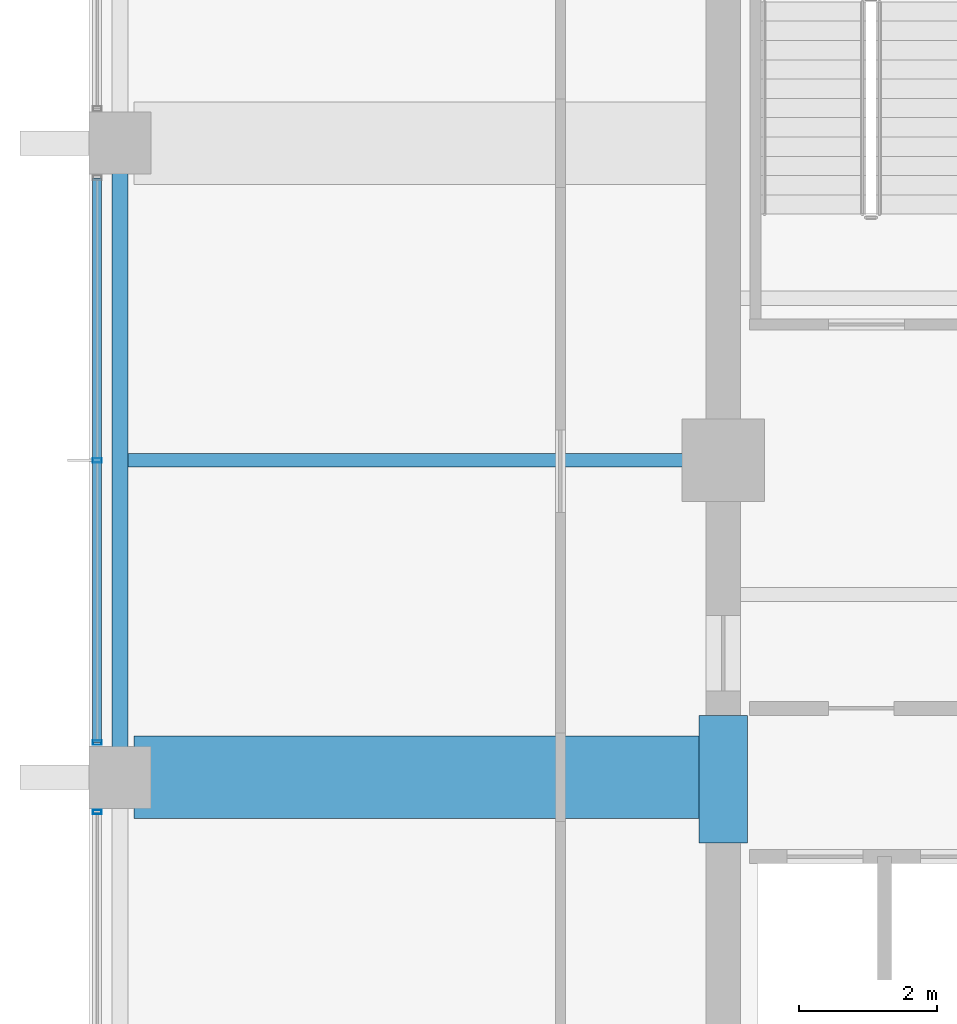
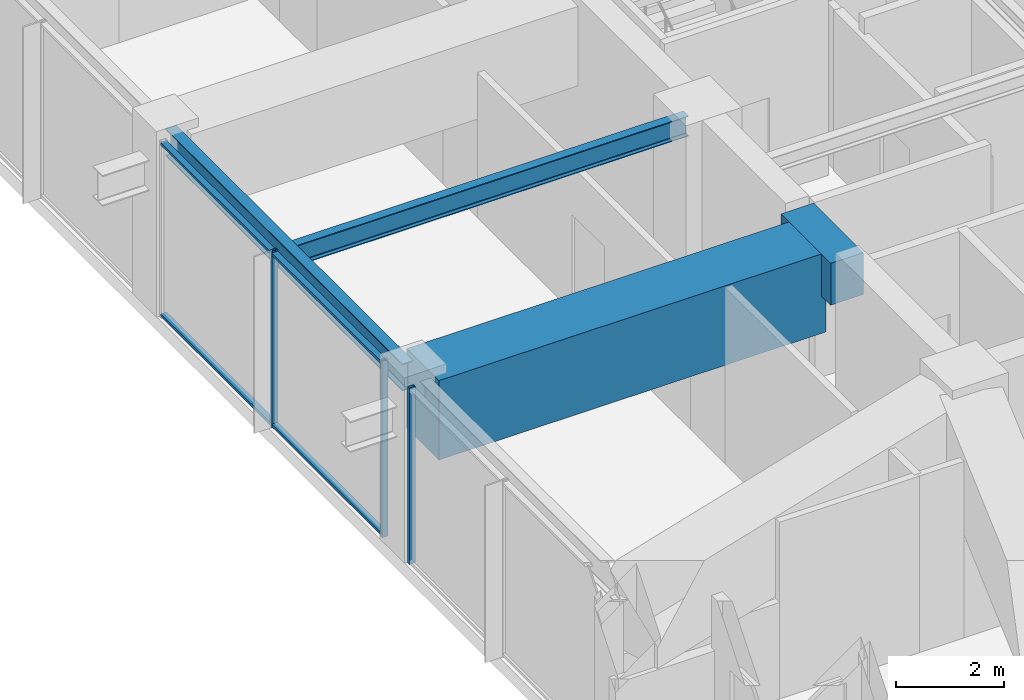
# One storey, part 9 of 33: 5 members, 4 beams, 2 elements without a shape of their own.
"""IFC4 building model written with IfcOpenShell, lengths in metres."""

from ifc_helpers import new_model, si_unit, direction, frame, origin, origin_2d, place, context, subcontext, project, spatial, rectangle, hollow_rectangle, i_section, extrude, material, material_profile, profile_set, type_object, element, aggregate, save


model = new_model("IFC4")

# Units and contexts
model_context = context("Model", 3, precision=1e-05, world=origin(), true_north=direction((0.0, 1.0)))
body_context = subcontext(model_context, "Body", "Model", "MODEL_VIEW")
ifc_project = project(units=[si_unit("LENGTHUNIT", "METRE"), si_unit("AREAUNIT", "SQUARE_METRE"), si_unit("VOLUMEUNIT", "CUBIC_METRE"), si_unit("PLANEANGLEUNIT", "RADIAN"), si_unit("MASSUNIT", "GRAM", prefix="KILO")], contexts=[model_context])

# Site, building, storey
site_placement = place(None, origin())
site = spatial("IfcSite", under=ifc_project, at=site_placement, CompositionType="ELEMENT")
building_placement = place(site_placement, origin())
building = spatial("IfcBuilding", under=site, at=building_placement, Name="Kolvaren Belvedere", CompositionType="ELEMENT")
storey_placement = place(building_placement, frame((0.0, 0.0, 152.699951171875)))
storey = spatial("IfcBuildingStorey", under=building, at=storey_placement, Name="L44", CompositionType="ELEMENT", Elevation=152.699951171875)

# Beams
ifc_material_1 = material(Name="Structural steel ASTM A992 Grade 50", Category="steel")
ifc_material_profile_1 = material_profile(ifc_material_1, i_section(OverallWidth=0.19091796875, OverallDepth=0.4599609375, WebThickness=0.010009765625, FlangeThickness=0.01611328125, FilletRadius=0.014892578125, at=origin_2d()), Name="W18X55")
ifc_profile_set_1 = profile_set([ifc_material_profile_1], Name="Structural steel ASTM A992 Grade 50")
beam_type_1 = type_object("IfcBeamType", Name="BM-JOIST-W18X55", PredefinedType="BEAM", material=ifc_profile_set_1)
beam_1_placement = place(storey_placement, frame((-10.14990234375, 0.0, 3.77001953125), z_axis=(-1.0, 0.0, 0.0), x_axis=(0.0, -1.0, 0.0)))
element("IfcBeam", 1, at=beam_1_placement, inside=storey, type_object=beam_type_1, Name="L44 West Centre Floor Beam", PredefinedType="BEAM", context=body_context, shape_type="SweptSolid", body=[
    extrude(i_section(OverallWidth=0.19091796875, OverallDepth=0.4599609375, WebThickness=0.010009765625, FlangeThickness=0.01611328125, FilletRadius=0.014892578125, at=origin_2d()), origin(), (0.0, 0.0, 1.0), 8.385498046875),
])
ifc_material_2 = material(Name="Concrete C60/75", Category="concrete")
ifc_material_profile_2 = material_profile(ifc_material_2, rectangle(XDim=0.699951171875, YDim=0.949951171875, at=origin_2d()), Name="RC 700X950")
ifc_profile_set_2 = profile_set([ifc_material_profile_2], Name="Concrete C60/75")
beam_type_2 = type_object("IfcBeamType", Name="BM-LINT-950", PredefinedType="LINTEL", material=ifc_profile_set_2)
beam_2_placement = place(storey_placement, frame((-9.89990234375, -5.550048828125, 3.525146484375), z_axis=(0.0, 1.0, 0.0), x_axis=(-1.0, 0.0, 0.0)))
element("IfcBeam", 2, at=beam_2_placement, inside=storey, type_object=beam_type_2, Name="L44 West Core Coupling Lintel", PredefinedType="LINTEL", context=body_context, shape_type="SweptSolid", body=[
    extrude(rectangle(XDim=0.699951171875, YDim=0.949951171875, at=origin_2d()), origin(), (0.0, 0.0, 1.0), 1.85009765625),
])
ifc_material_3 = material(Name="Structural steel ASTM A992 Grade 50", Category="steel")
ifc_material_profile_3 = material_profile(ifc_material_3, i_section(OverallWidth=0.22900390625, OverallDepth=0.612060546875, WebThickness=0.011962890625, FlangeThickness=0.01953125, FilletRadius=0.01806640625, at=origin_2d()), Name="W24X84")
ifc_profile_set_3 = profile_set([ifc_material_profile_3], Name="Structural steel ASTM A992 Grade 50")
beam_type_3 = type_object("IfcBeamType", Name="BM-SPAN-W24X84", PredefinedType="SPANDREL", material=ifc_profile_set_3)
beam_3_placement = place(storey_placement, frame((-18.64990234375, 4.3974609375, 3.694091796875), z_axis=(0.0, -1.0, 0.0), x_axis=(1.0, 0.0, 0.0)))
element("IfcBeam", 3, at=beam_3_placement, inside=storey, type_object=beam_type_3, Name="L44 Perimeter Spandrel W3-W2", PredefinedType="SPANDREL", context=body_context, shape_type="SweptSolid", body=[
    extrude(i_section(OverallWidth=0.22900390625, OverallDepth=0.612060546875, WebThickness=0.011962890625, FlangeThickness=0.01953125, FilletRadius=0.01806640625, at=origin_2d()), origin(), (0.0, 0.0, 1.0), 8.794921875),
])
ifc_material_4 = material(Name="Concrete C50/60", Category="concrete")
ifc_material_profile_4 = material_profile(ifc_material_4, rectangle(XDim=1.199951171875, YDim=1.800048828125, at=origin_2d()), Name="RC 1200X1800")
ifc_profile_set_4 = profile_set([ifc_material_profile_4], Name="Concrete C50/60")
beam_type_4 = type_object("IfcBeamType", Name="BM-TG-1800", PredefinedType="BEAM", material=ifc_profile_set_4)
beam_4_placement = place(storey_placement, frame((-10.14990234375, -4.60009765625, 3.10009765625), z_axis=(-1.0, 0.0, 0.0), x_axis=(0.0, -1.0, 0.0)))
element("IfcBeam", 4, at=beam_4_placement, inside=storey, type_object=beam_type_4, Name="L44 West Radial Girder M", PredefinedType="BEAM", context=body_context, shape_type="SweptSolid", body=[
    extrude(rectangle(XDim=1.199951171875, YDim=1.800048828125, at=origin_2d()), origin(), (0.0, 0.0, 1.0), 8.297607421875),
])

# Curtain wall, member
ifc_material_5 = material(Name="Anodised pale-metal aluminium AA 6063-T6", Category="aluminium")
curtain_wall_type = type_object("IfcCurtainWallType", Name="CW-Z3-WAIST", PredefinedType="NOTDEFINED", material=ifc_material_5)
curtain_wall_1_placement = place(storey_placement, origin())
curtain_wall_1 = element("IfcCurtainWall", 5, at=curtain_wall_1_placement, inside=storey, type_object=curtain_wall_type, Name="L44 Unitised Curtain Wall FCW-L44-W-B1", PredefinedType="NOTDEFINED")
ifc_material_6 = material(Name="Anodised pale-metal aluminium AA 6063-T6", Category="aluminium")
ifc_material_profile_5 = material_profile(ifc_material_6, hollow_rectangle(XDim=0.06494140625, YDim=0.1298828125, WallThickness=0.00390625, at=origin_2d()), Name="ALU-MUL-130X65")
ifc_profile_set_5 = profile_set([ifc_material_profile_5], Name="Anodised pale-metal aluminium AA 6063-T6")
member_type_1 = type_object("IfcMemberType", Name="CW-MUL-130", PredefinedType="MULLION", material=ifc_profile_set_5)
member_1_placement = place(storey_placement, frame((-18.97998046875, -5.1025390625, 0.0), z_axis=(0.0, 0.0, 1.0), x_axis=(0.0, 1.0, 0.0)))
member_1 = element("IfcMember", 6, at=member_1_placement, type_object=member_type_1, Name="FCW-L44-W-B1 Unitised Mullion 3", PredefinedType="MULLION", context=body_context, shape_type="SweptSolid", body=[
    extrude(hollow_rectangle(XDim=0.06494140625, YDim=0.1298828125, WallThickness=0.00390625, at=origin_2d()), origin(), (0.0, 0.0, 1.0), 4.0),
])
aggregate(curtain_wall_1, [member_1])

# Curtain wall, members
curtain_wall_2_placement = place(storey_placement, origin())
curtain_wall_2 = element("IfcCurtainWall", 7, at=curtain_wall_2_placement, inside=storey, type_object=curtain_wall_type, Name="L44 Unitised Curtain Wall FCW-L44-W-B2", PredefinedType="NOTDEFINED")
member_2_placement = place(storey_placement, frame((-18.97998046875, -4.097412109375, 0.0), z_axis=(0.0, 0.0, 1.0), x_axis=(0.0, 1.0, 0.0)))
member_2 = element("IfcMember", 8, at=member_2_placement, type_object=member_type_1, Name="FCW-L44-W-B2 Unitised Mullion 1", PredefinedType="MULLION", context=body_context, shape_type="SweptSolid", body=[
    extrude(hollow_rectangle(XDim=0.06494140625, YDim=0.1298828125, WallThickness=0.00390625, at=origin_2d()), origin(), (0.0, 0.0, 1.0), 4.0),
])
member_3_placement = place(storey_placement, frame((-18.97998046875, 0.0, 0.0), z_axis=(0.0, 0.0, 1.0), x_axis=(0.0, 1.0, 0.0)))
member_3 = element("IfcMember", 9, at=member_3_placement, type_object=member_type_1, Name="FCW-L44-W-B2 Unitised Mullion 2", PredefinedType="MULLION", context=body_context, shape_type="SweptSolid", body=[
    extrude(hollow_rectangle(XDim=0.06494140625, YDim=0.1298828125, WallThickness=0.00390625, at=origin_2d()), origin(), (0.0, 0.0, 1.0), 4.0),
])
ifc_material_7 = material(Name="Anodised pale-metal aluminium AA 6063-T6", Category="aluminium")
ifc_material_profile_6 = material_profile(ifc_material_7, hollow_rectangle(XDim=0.06005859375, YDim=0.1298828125, WallThickness=0.00390625, at=origin_2d()), Name="ALU-TRN-130X60")
ifc_profile_set_6 = profile_set([ifc_material_profile_6], Name="Anodised pale-metal aluminium AA 6063-T6")
member_type_2 = type_object("IfcMemberType", Name="CW-TRN-130", PredefinedType="USERDEFINED", material=ifc_profile_set_6)
member_4_placement = place(storey_placement, frame((-18.97998046875, -4.097412109375, 0.06005859375), z_axis=(0.0, 1.0, 0.0), x_axis=(0.0, 0.0, 1.0)))
member_4 = element("IfcMember", 10, at=member_4_placement, type_object=member_type_2, Name="FCW-L44-W-B2 Sill Transom", ObjectType="TRANSOM", PredefinedType="USERDEFINED", context=body_context, shape_type="SweptSolid", body=[
    extrude(hollow_rectangle(XDim=0.06005859375, YDim=0.1298828125, WallThickness=0.00390625, at=origin_2d()), origin(), (0.0, 0.0, 1.0), 8.19482421875),
])
member_5_placement = place(storey_placement, frame((-18.97998046875, -4.097412109375, 3.93994140625), z_axis=(0.0, 1.0, 0.0), x_axis=(0.0, 0.0, 1.0)))
member_5 = element("IfcMember", 11, at=member_5_placement, type_object=member_type_2, Name="FCW-L44-W-B2 Head Transom", ObjectType="TRANSOM", PredefinedType="USERDEFINED", context=body_context, shape_type="SweptSolid", body=[
    extrude(hollow_rectangle(XDim=0.06005859375, YDim=0.1298828125, WallThickness=0.00390625, at=origin_2d()), origin(), (0.0, 0.0, 1.0), 8.19482421875),
])
aggregate(curtain_wall_2, [member_2, member_3, member_4, member_5])

save(model, "model.ifc")
